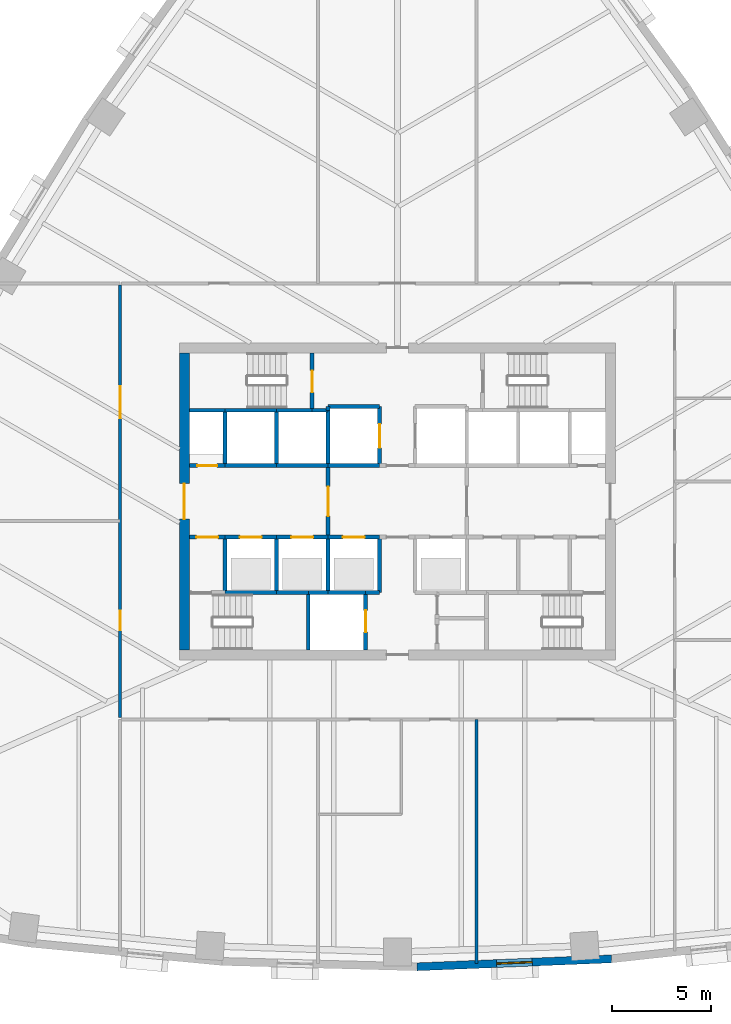
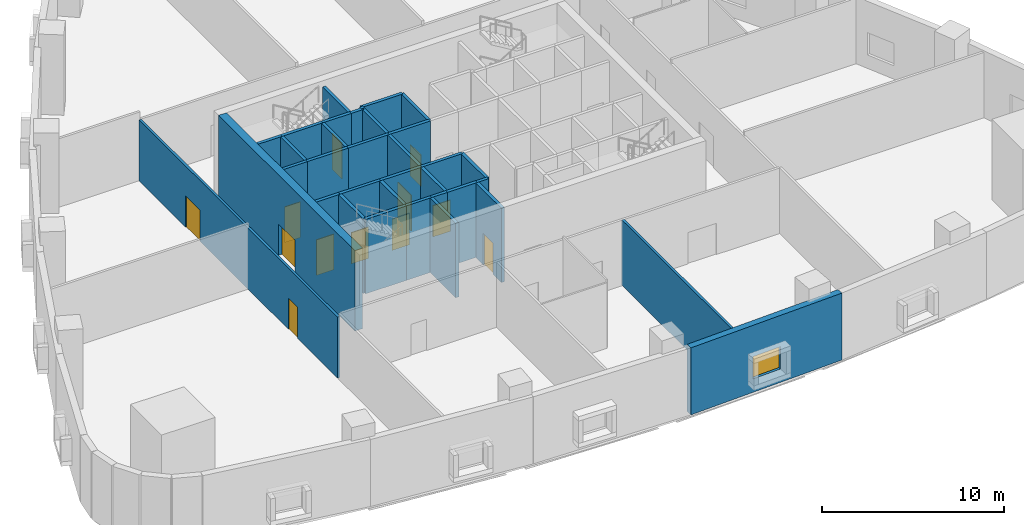
# One storey, part 3 of 11: 35 walls, 12 doors, 1 window, 13 openings.
"""IFC4 building model written with IfcOpenShell, lengths in metres."""

from ifc_helpers import new_model, si_unit, direction, frame, frame_2d, origin, place, context, subcontext, project, spatial, rectangle, extrude, material, layer, layer_set, type_object, element, fill, save


model = new_model("IFC4")

# Units and contexts
model_context = context("Model", 3, precision=1e-05, world=origin(), true_north=direction((0.0, 1.0)))
body_context = subcontext(model_context, "Body", "Model", "MODEL_VIEW")
ifc_project = project(units=[si_unit("LENGTHUNIT", "METRE"), si_unit("AREAUNIT", "SQUARE_METRE"), si_unit("VOLUMEUNIT", "CUBIC_METRE"), si_unit("PLANEANGLEUNIT", "RADIAN"), si_unit("MASSUNIT", "GRAM", prefix="KILO")], contexts=[model_context])

# Site, building, storey
site_placement = place(None, origin())
site = spatial("IfcSite", under=ifc_project, at=site_placement, CompositionType="ELEMENT")
building_placement = place(site_placement, origin())
building = spatial("IfcBuilding", under=site, at=building_placement, Name="Sierra Prisma Convention Tower", CompositionType="ELEMENT")
storey_placement = place(building_placement, frame((0.0, 0.0, 28.800048828125)))
storey = spatial("IfcBuildingStorey", under=building, at=storey_placement, Name="L04", CompositionType="ELEMENT", Elevation=28.800048828125)

# Wall, opening, door
ifc_material_1 = material(Name="Concrete C30/37", Category="concrete")
ifc_layer_1 = layer(ifc_material_1, 0.199951171875)
ifc_layer_set_1 = layer_set([ifc_layer_1], Name="Core wall RC 200 C30/37")
wall_type_1 = type_object("IfcWallType", Name="Core wall RC 200 C30/37", PredefinedType="SOLIDWALL", material=ifc_layer_set_1)
wall_1_placement = place(storey_placement, frame((-10.5, -1.800048828125, 0.0), z_axis=(0.0, 0.0, 1.0), x_axis=(1.0, 0.0, 0.0)))
wall_1 = element("IfcWall", 1, at=wall_1_placement, inside=storey, type_object=wall_type_1, Name="Core wall L04 2", PredefinedType="SOLIDWALL", context=body_context, shape_type="SweptSolid", body=[
    extrude(rectangle(XDim=1.800048828125, YDim=0.199951171875, at=frame_2d((0.89990234375, 0.0))), origin(), (0.0, 0.0, 1.0), 5.0),
])
opening_1_placement = place(wall_1_placement, frame((0.35009765625, 0.0, 0.0)))
opening_1 = element("IfcOpeningElement", 2, at=opening_1_placement, cuts=wall_1, Name="Opening L04-D010", PredefinedType="OPENING", context=body_context, shape_type="SweptSolid", body=[
    extrude(rectangle(XDim=1.10009765625, YDim=2.39990234375, at=frame_2d((0.550048828125, 1.199951171875))), frame((0.0, 0.10009765625, 0.0), z_axis=(0.0, -1.0, 0.0), x_axis=(1.0, 0.0, 0.0)), (0.0, 0.0, 1.0), 0.199951171875),
])
ifc_material_2 = material(Name="Steel fire door leaf", Category="steel")
door_type_1 = type_object("IfcDoorType", Name="Door 1100x2400 FD90S", OperationType="SINGLE_SWING_LEFT", PredefinedType="DOOR", material=ifc_material_2)
door_1_placement = place(opening_1_placement, origin())
door_1 = element("IfcDoor", 3, at=door_1_placement, inside=storey, type_object=door_type_1, Name="Door L04 23", OperationType="SINGLE_SWING_RIGHT", OverallHeight=2.39990234375, OverallWidth=1.10009765625, PredefinedType="DOOR", context=body_context, shape_type="SweptSolid", body=[
    extrude(rectangle(XDim=1.10009765625, YDim=2.39990234375, at=frame_2d((0.550048828125, 1.199951171875))), frame((0.0, 0.02490234375, 0.0), z_axis=(0.0, -1.0, 0.0), x_axis=(1.0, 0.0, 0.0)), (0.0, 0.0, 1.0), 0.050048828125),
])
fill(opening_1, door_1)

wall_2_placement = place(storey_placement, frame((-8.699951171875, 1.800048828125, 0.0), z_axis=(0.0, 0.0, 1.0), x_axis=(-1.0, 0.0, 0.0)))
wall_2 = element("IfcWall", 4, at=wall_2_placement, inside=storey, type_object=wall_type_1, Name="Core wall L04 3", PredefinedType="SOLIDWALL", context=body_context, shape_type="SweptSolid", body=[
    extrude(rectangle(XDim=1.800048828125, YDim=0.199951171875, at=frame_2d((0.89990234375, 0.0))), origin(), (0.0, 0.0, 1.0), 5.0),
])
opening_2_placement = place(wall_2_placement, frame((0.39990234375, 0.0, 0.0)))
opening_2 = element("IfcOpeningElement", 5, at=opening_2_placement, cuts=wall_2, Name="Opening L04-D014", PredefinedType="OPENING", context=body_context, shape_type="SweptSolid", body=[
    extrude(rectangle(XDim=1.0, YDim=2.39990234375, at=frame_2d((0.5, 1.199951171875))), frame((0.0, 0.10009765625, 0.0), z_axis=(0.0, -1.0, 0.0), x_axis=(1.0, 0.0, 0.0)), (0.0, 0.0, 1.0), 0.199951171875),
])
ifc_material_3 = material(Name="Steel fire door leaf", Category="steel")
door_type_2 = type_object("IfcDoorType", Name="Door 1000x2400 FD60S", OperationType="SINGLE_SWING_LEFT", PredefinedType="DOOR", material=ifc_material_3)
door_2_placement = place(opening_2_placement, origin())
door_2 = element("IfcDoor", 6, at=door_2_placement, inside=storey, type_object=door_type_2, Name="Door L04 27", OperationType="SINGLE_SWING_LEFT", OverallHeight=2.39990234375, OverallWidth=1.0, PredefinedType="DOOR", context=body_context, shape_type="SweptSolid", body=[
    extrude(rectangle(XDim=1.0, YDim=2.39990234375, at=frame_2d((0.5, 1.199951171875))), frame((0.0, 0.02490234375, 0.0), z_axis=(0.0, -1.0, 0.0), x_axis=(1.0, 0.0, 0.0)), (0.0, 0.0, 1.0), 0.050048828125),
])
fill(opening_2, door_2)

# Walls
wall_3_placement = place(storey_placement, frame((-8.699951171875, 4.60009765625, 0.0), z_axis=(0.0, 0.0, 1.0), x_axis=(-1.0, 0.0, 0.0)))
element("IfcWall", 7, at=wall_3_placement, inside=storey, type_object=wall_type_1, Name="Core wall L04 4", PredefinedType="SOLIDWALL", context=body_context, shape_type="SweptSolid", body=[
    extrude(rectangle(XDim=1.800048828125, YDim=0.199951171875, at=frame_2d((0.89990234375, 0.0))), origin(), (0.0, 0.0, 1.0), 5.0),
])
wall_4_placement = place(storey_placement, frame((-8.699951171875, -4.60009765625, 0.0), z_axis=(0.0, 0.0, 1.0), x_axis=(1.0, 0.0, 0.0)))
element("IfcWall", 8, at=wall_4_placement, inside=storey, type_object=wall_type_1, Name="Core wall L04 5", PredefinedType="SOLIDWALL", context=body_context, shape_type="SweptSolid", body=[
    extrude(rectangle(XDim=2.599853515625, YDim=0.199951171875, at=frame_2d((1.2998046875, 0.0))), origin(), (0.0, 0.0, 1.0), 5.0),
])
wall_5_placement = place(storey_placement, frame((-8.699951171875, -4.60009765625, 0.0), z_axis=(0.0, 0.0, 1.0), x_axis=(0.0, 1.0, 0.0)))
element("IfcWall", 9, at=wall_5_placement, inside=storey, type_object=wall_type_1, Name="Core wall L04 6", PredefinedType="SOLIDWALL", context=body_context, shape_type="SweptSolid", body=[
    extrude(rectangle(XDim=2.800048828125, YDim=0.199951171875, at=frame_2d((1.39990234375, 0.0))), origin(), (0.0, 0.0, 1.0), 5.0),
])

# Wall, opening, door
wall_6_placement = place(storey_placement, frame((-8.699951171875, -1.800048828125, 0.0), z_axis=(0.0, 0.0, 1.0), x_axis=(1.0, 0.0, 0.0)))
wall_6 = element("IfcWall", 10, at=wall_6_placement, inside=storey, type_object=wall_type_1, Name="Core wall L04 7", PredefinedType="SOLIDWALL", context=body_context, shape_type="SweptSolid", body=[
    extrude(rectangle(XDim=2.599853515625, YDim=0.199951171875, at=frame_2d((1.2998046875, 0.0))), origin(), (0.0, 0.0, 1.0), 5.0),
])
opening_3_placement = place(wall_6_placement, frame((0.75, 0.0, 0.0)))
opening_3 = element("IfcOpeningElement", 11, at=opening_3_placement, cuts=wall_6, Name="Opening L04-D001", PredefinedType="OPENING", context=body_context, shape_type="SweptSolid", body=[
    extrude(rectangle(XDim=1.10009765625, YDim=2.10009765625, at=frame_2d((0.550048828125, 1.050048828125))), frame((0.0, 0.10009765625, 0.0), z_axis=(0.0, -1.0, 0.0), x_axis=(1.0, 0.0, 0.0)), (0.0, 0.0, 1.0), 0.199951171875),
])
ifc_material_4 = material(Name="Steel fire door leaf", Category="steel")
door_type_3 = type_object("IfcDoorType", Name="Door 1100x2100 EI 90 sliding lift landing", OperationType="SLIDING_TO_LEFT", PredefinedType="DOOR", material=ifc_material_4)
door_3_placement = place(opening_3_placement, origin())
door_3 = element("IfcDoor", 12, at=door_3_placement, inside=storey, type_object=door_type_3, Name="Door L04 14", OperationType="SLIDING_TO_LEFT", OverallHeight=2.10009765625, OverallWidth=1.10009765625, PredefinedType="DOOR", context=body_context, shape_type="SweptSolid", body=[
    extrude(rectangle(XDim=1.10009765625, YDim=2.10009765625, at=frame_2d((0.550048828125, 1.050048828125))), frame((0.0, 0.02490234375, 0.0), z_axis=(0.0, -1.0, 0.0), x_axis=(1.0, 0.0, 0.0)), (0.0, 0.0, 1.0), 0.050048828125),
])
fill(opening_3, door_3)

# Walls
wall_7_placement = place(storey_placement, frame((-6.10009765625, 1.800048828125, 0.0), z_axis=(0.0, 0.0, 1.0), x_axis=(-1.0, 0.0, 0.0)))
element("IfcWall", 13, at=wall_7_placement, inside=storey, type_object=wall_type_1, Name="Core wall L04 8", PredefinedType="SOLIDWALL", context=body_context, shape_type="SweptSolid", body=[
    extrude(rectangle(XDim=2.599853515625, YDim=0.199951171875, at=frame_2d((1.2998046875, 0.0))), origin(), (0.0, 0.0, 1.0), 5.0),
])
wall_8_placement = place(storey_placement, frame((-8.699951171875, 1.800048828125, 0.0), z_axis=(0.0, 0.0, 1.0), x_axis=(0.0, 1.0, 0.0)))
element("IfcWall", 14, at=wall_8_placement, inside=storey, type_object=wall_type_1, Name="Core wall L04 9", PredefinedType="SOLIDWALL", context=body_context, shape_type="SweptSolid", body=[
    extrude(rectangle(XDim=2.800048828125, YDim=0.199951171875, at=frame_2d((1.39990234375, 0.0))), origin(), (0.0, 0.0, 1.0), 5.0),
])
wall_9_placement = place(storey_placement, frame((-6.10009765625, 4.60009765625, 0.0), z_axis=(0.0, 0.0, 1.0), x_axis=(-1.0, 0.0, 0.0)))
element("IfcWall", 15, at=wall_9_placement, inside=storey, type_object=wall_type_1, Name="Core wall L04 10", PredefinedType="SOLIDWALL", context=body_context, shape_type="SweptSolid", body=[
    extrude(rectangle(XDim=2.599853515625, YDim=0.199951171875, at=frame_2d((1.2998046875, 0.0))), origin(), (0.0, 0.0, 1.0), 5.0),
])
wall_10_placement = place(storey_placement, frame((-6.10009765625, -4.60009765625, 0.0), z_axis=(0.0, 0.0, 1.0), x_axis=(1.0, 0.0, 0.0)))
element("IfcWall", 16, at=wall_10_placement, inside=storey, type_object=wall_type_1, Name="Core wall L04 11", PredefinedType="SOLIDWALL", context=body_context, shape_type="SweptSolid", body=[
    extrude(rectangle(XDim=1.60009765625, YDim=0.199951171875, at=frame_2d((0.800048828125, 0.0))), origin(), (0.0, 0.0, 1.0), 5.0),
])
wall_11_placement = place(storey_placement, frame((-6.10009765625, -4.60009765625, 0.0), z_axis=(0.0, 0.0, 1.0), x_axis=(0.0, 1.0, 0.0)))
element("IfcWall", 17, at=wall_11_placement, inside=storey, type_object=wall_type_1, Name="Core wall L04 12", PredefinedType="SOLIDWALL", context=body_context, shape_type="SweptSolid", body=[
    extrude(rectangle(XDim=2.800048828125, YDim=0.199951171875, at=frame_2d((1.39990234375, 0.0))), origin(), (0.0, 0.0, 1.0), 5.0),
])

# Wall, opening, door
wall_12_placement = place(storey_placement, frame((-6.10009765625, -1.800048828125, 0.0), z_axis=(0.0, 0.0, 1.0), x_axis=(1.0, 0.0, 0.0)))
wall_12 = element("IfcWall", 18, at=wall_12_placement, inside=storey, type_object=wall_type_1, Name="Core wall L04 13", PredefinedType="SOLIDWALL", context=body_context, shape_type="SweptSolid", body=[
    extrude(rectangle(XDim=2.60009765625, YDim=0.199951171875, at=frame_2d((1.300048828125, 0.0))), origin(), (0.0, 0.0, 1.0), 5.0),
])
opening_4_placement = place(wall_12_placement, frame((0.75, 0.0, 0.0)))
opening_4 = element("IfcOpeningElement", 19, at=opening_4_placement, cuts=wall_12, Name="Opening L04-D002", PredefinedType="OPENING", context=body_context, shape_type="SweptSolid", body=[
    extrude(rectangle(XDim=1.10009765625, YDim=2.10009765625, at=frame_2d((0.550048828125, 1.050048828125))), frame((0.0, 0.10009765625, 0.0), z_axis=(0.0, -1.0, 0.0), x_axis=(1.0, 0.0, 0.0)), (0.0, 0.0, 1.0), 0.199951171875),
])
door_4_placement = place(opening_4_placement, origin())
door_4 = element("IfcDoor", 20, at=door_4_placement, inside=storey, type_object=door_type_3, Name="Door L04 15", OperationType="SLIDING_TO_RIGHT", OverallHeight=2.10009765625, OverallWidth=1.10009765625, PredefinedType="DOOR", context=body_context, shape_type="SweptSolid", body=[
    extrude(rectangle(XDim=1.10009765625, YDim=2.10009765625, at=frame_2d((0.550048828125, 1.050048828125))), frame((0.0, 0.02490234375, 0.0), z_axis=(0.0, -1.0, 0.0), x_axis=(1.0, 0.0, 0.0)), (0.0, 0.0, 1.0), 0.050048828125),
])
fill(opening_4, door_4)

# Walls
wall_13_placement = place(storey_placement, frame((-3.5, 1.800048828125, 0.0), z_axis=(0.0, 0.0, 1.0), x_axis=(-1.0, 0.0, 0.0)))
element("IfcWall", 21, at=wall_13_placement, inside=storey, type_object=wall_type_1, Name="Core wall L04 14", PredefinedType="SOLIDWALL", context=body_context, shape_type="SweptSolid", body=[
    extrude(rectangle(XDim=2.60009765625, YDim=0.199951171875, at=frame_2d((1.300048828125, 0.0))), origin(), (0.0, 0.0, 1.0), 5.0),
])
wall_14_placement = place(storey_placement, frame((-6.10009765625, 1.800048828125, 0.0), z_axis=(0.0, 0.0, 1.0), x_axis=(0.0, 1.0, 0.0)))
element("IfcWall", 22, at=wall_14_placement, inside=storey, type_object=wall_type_1, Name="Core wall L04 15", PredefinedType="SOLIDWALL", context=body_context, shape_type="SweptSolid", body=[
    extrude(rectangle(XDim=2.800048828125, YDim=0.199951171875, at=frame_2d((1.39990234375, 0.0))), origin(), (0.0, 0.0, 1.0), 5.0),
])
wall_15_placement = place(storey_placement, frame((-4.300048828125, 4.60009765625, 0.0), z_axis=(0.0, 0.0, 1.0), x_axis=(-1.0, 0.0, 0.0)))
element("IfcWall", 23, at=wall_15_placement, inside=storey, type_object=wall_type_1, Name="Core wall L04 16", PredefinedType="SOLIDWALL", context=body_context, shape_type="SweptSolid", body=[
    extrude(rectangle(XDim=1.800048828125, YDim=0.199951171875, at=frame_2d((0.89990234375, 0.0))), origin(), (0.0, 0.0, 1.0), 5.0),
])
wall_16_placement = place(storey_placement, frame((-4.5, -4.60009765625, 0.0), z_axis=(0.0, 0.0, 1.0), x_axis=(0.0, -1.0, 0.0)))
element("IfcWall", 24, at=wall_16_placement, inside=storey, type_object=wall_type_1, Name="Core wall L04 17", PredefinedType="SOLIDWALL", context=body_context, shape_type="SweptSolid", body=[
    extrude(rectangle(XDim=2.89990234375, YDim=0.199951171875, at=frame_2d((1.449951171875, 0.0))), origin(), (0.0, 0.0, 1.0), 5.0),
])
wall_17_placement = place(storey_placement, frame((-4.5, -4.60009765625, 0.0), z_axis=(0.0, 0.0, 1.0), x_axis=(1.0, 0.0, 0.0)))
element("IfcWall", 25, at=wall_17_placement, inside=storey, type_object=wall_type_1, Name="Core wall L04 18", PredefinedType="SOLIDWALL", context=body_context, shape_type="SweptSolid", body=[
    extrude(rectangle(XDim=1.0, YDim=0.199951171875, at=frame_2d((0.5, 0.0))), origin(), (0.0, 0.0, 1.0), 5.0),
])
wall_18_placement = place(storey_placement, frame((-3.5, 4.60009765625, 0.0), z_axis=(0.0, 0.0, 1.0), x_axis=(-1.0, 0.0, 0.0)))
element("IfcWall", 26, at=wall_18_placement, inside=storey, type_object=wall_type_1, Name="Core wall L04 19", PredefinedType="SOLIDWALL", context=body_context, shape_type="SweptSolid", body=[
    extrude(rectangle(XDim=0.800048828125, YDim=0.199951171875, at=frame_2d((0.39990234375, 0.0))), origin(), (0.0, 0.0, 1.0), 5.0),
])

# Wall, opening, door
wall_19_placement = place(storey_placement, frame((-4.300048828125, 4.60009765625, 0.0), z_axis=(0.0, 0.0, 1.0), x_axis=(0.0, 1.0, 0.0)))
wall_19 = element("IfcWall", 27, at=wall_19_placement, inside=storey, type_object=wall_type_1, Name="Core wall L04 20", PredefinedType="SOLIDWALL", context=body_context, shape_type="SweptSolid", body=[
    extrude(rectangle(XDim=2.89990234375, YDim=0.199951171875, at=frame_2d((1.449951171875, 0.0))), origin(), (0.0, 0.0, 1.0), 5.0),
])
opening_5_placement = place(wall_19_placement, frame((0.89990234375, 0.0, 0.0)))
opening_5 = element("IfcOpeningElement", 28, at=opening_5_placement, cuts=wall_19, Name="Opening L04-D018", PredefinedType="OPENING", context=body_context, shape_type="SweptSolid", body=[
    extrude(rectangle(XDim=1.10009765625, YDim=2.39990234375, at=frame_2d((0.550048828125, 1.199951171875))), frame((0.0, 0.10009765625, 0.0), z_axis=(0.0, -1.0, 0.0), x_axis=(1.0, 0.0, 0.0)), (0.0, 0.0, 1.0), 0.199951171875),
])
door_5_placement = place(opening_5_placement, origin())
door_5 = element("IfcDoor", 29, at=door_5_placement, inside=storey, type_object=door_type_1, Name="Door L04 31", OperationType="SINGLE_SWING_RIGHT", OverallHeight=2.39990234375, OverallWidth=1.10009765625, PredefinedType="DOOR", context=body_context, shape_type="SweptSolid", body=[
    extrude(rectangle(XDim=1.10009765625, YDim=2.39990234375, at=frame_2d((0.550048828125, 1.199951171875))), frame((0.0, 0.02490234375, 0.0), z_axis=(0.0, -1.0, 0.0), x_axis=(1.0, 0.0, 0.0)), (0.0, 0.0, 1.0), 0.050048828125),
])
fill(opening_5, door_5)

# Walls
wall_20_placement = place(storey_placement, frame((-3.5, -4.60009765625, 0.0), z_axis=(0.0, 0.0, 1.0), x_axis=(1.0, 0.0, 0.0)))
element("IfcWall", 30, at=wall_20_placement, inside=storey, type_object=wall_type_1, Name="Core wall L04 21", PredefinedType="SOLIDWALL", context=body_context, shape_type="SweptSolid", body=[
    extrude(rectangle(XDim=1.89990234375, YDim=0.199951171875, at=frame_2d((0.949951171875, 0.0))), origin(), (0.0, 0.0, 1.0), 5.0),
])
wall_21_placement = place(storey_placement, frame((-3.5, -4.60009765625, 0.0), z_axis=(0.0, 0.0, 1.0), x_axis=(0.0, 1.0, 0.0)))
element("IfcWall", 31, at=wall_21_placement, inside=storey, type_object=wall_type_1, Name="Core wall L04 22", PredefinedType="SOLIDWALL", context=body_context, shape_type="SweptSolid", body=[
    extrude(rectangle(XDim=2.800048828125, YDim=0.199951171875, at=frame_2d((1.39990234375, 0.0))), origin(), (0.0, 0.0, 1.0), 5.0),
])

# Wall, opening, door
wall_22_placement = place(storey_placement, frame((-3.5, -1.800048828125, 0.0), z_axis=(0.0, 0.0, 1.0), x_axis=(1.0, 0.0, 0.0)))
wall_22 = element("IfcWall", 32, at=wall_22_placement, inside=storey, type_object=wall_type_1, Name="Core wall L04 23", PredefinedType="SOLIDWALL", context=body_context, shape_type="SweptSolid", body=[
    extrude(rectangle(XDim=2.60009765625, YDim=0.199951171875, at=frame_2d((1.300048828125, 0.0))), origin(), (0.0, 0.0, 1.0), 5.0),
])
opening_6_placement = place(wall_22_placement, frame((0.75, 0.0, 0.0)))
opening_6 = element("IfcOpeningElement", 33, at=opening_6_placement, cuts=wall_22, Name="Opening L04-D003", PredefinedType="OPENING", context=body_context, shape_type="SweptSolid", body=[
    extrude(rectangle(XDim=1.10009765625, YDim=2.10009765625, at=frame_2d((0.550048828125, 1.050048828125))), frame((0.0, 0.10009765625, 0.0), z_axis=(0.0, -1.0, 0.0), x_axis=(1.0, 0.0, 0.0)), (0.0, 0.0, 1.0), 0.199951171875),
])
door_6_placement = place(opening_6_placement, origin())
door_6 = element("IfcDoor", 34, at=door_6_placement, inside=storey, type_object=door_type_3, Name="Door L04 16", OperationType="SLIDING_TO_RIGHT", OverallHeight=2.10009765625, OverallWidth=1.10009765625, PredefinedType="DOOR", context=body_context, shape_type="SweptSolid", body=[
    extrude(rectangle(XDim=1.10009765625, YDim=2.10009765625, at=frame_2d((0.550048828125, 1.050048828125))), frame((0.0, 0.02490234375, 0.0), z_axis=(0.0, -1.0, 0.0), x_axis=(1.0, 0.0, 0.0)), (0.0, 0.0, 1.0), 0.050048828125),
])
fill(opening_6, door_6)

wall_23_placement = place(storey_placement, frame((-3.5, 1.800048828125, 0.0), z_axis=(0.0, 0.0, 1.0), x_axis=(0.0, -1.0, 0.0)))
wall_23 = element("IfcWall", 35, at=wall_23_placement, inside=storey, type_object=wall_type_1, Name="Core wall L04 24", PredefinedType="SOLIDWALL", context=body_context, shape_type="SweptSolid", body=[
    extrude(rectangle(XDim=3.60009765625, YDim=0.199951171875, at=frame_2d((1.800048828125, 0.0))), origin(), (0.0, 0.0, 1.0), 5.0),
])
opening_7_placement = place(wall_23_placement, frame((1.050048828125, 0.0, 0.0)))
opening_7 = element("IfcOpeningElement", 36, at=opening_7_placement, cuts=wall_23, Name="Opening L04-D008", PredefinedType="OPENING", context=body_context, shape_type="SweptSolid", body=[
    extrude(rectangle(XDim=1.5, YDim=2.39990234375, at=frame_2d((0.75, 1.199951171875))), frame((0.0, 0.10009765625, 0.0), z_axis=(0.0, -1.0, 0.0), x_axis=(1.0, 0.0, 0.0)), (0.0, 0.0, 1.0), 0.199951171875),
])
ifc_material_5 = material(Name="Steel fire door leaf", Category="steel")
door_type_4 = type_object("IfcDoorType", Name="Door 1500x2400 FD30S", OperationType="DOUBLE_DOOR_SINGLE_SWING", PredefinedType="DOOR", material=ifc_material_5)
door_7_placement = place(opening_7_placement, origin())
door_7 = element("IfcDoor", 37, at=door_7_placement, inside=storey, type_object=door_type_4, Name="Door L04 21", OperationType="DOUBLE_DOOR_SINGLE_SWING", OverallHeight=2.39990234375, OverallWidth=1.5, PredefinedType="DOOR", context=body_context, shape_type="SweptSolid", body=[
    extrude(rectangle(XDim=1.5, YDim=2.39990234375, at=frame_2d((0.75, 1.199951171875))), frame((0.0, 0.02490234375, 0.0), z_axis=(0.0, -1.0, 0.0), x_axis=(1.0, 0.0, 0.0)), (0.0, 0.0, 1.0), 0.050048828125),
])
fill(opening_7, door_7)

# Walls
wall_24_placement = place(storey_placement, frame((-0.89990234375, 1.800048828125, 0.0), z_axis=(0.0, 0.0, 1.0), x_axis=(-1.0, 0.0, 0.0)))
element("IfcWall", 38, at=wall_24_placement, inside=storey, type_object=wall_type_1, Name="Core wall L04 25", PredefinedType="SOLIDWALL", context=body_context, shape_type="SweptSolid", body=[
    extrude(rectangle(XDim=2.60009765625, YDim=0.199951171875, at=frame_2d((1.300048828125, 0.0))), origin(), (0.0, 0.0, 1.0), 5.0),
])
wall_25_placement = place(storey_placement, frame((-3.5, 4.60009765625, 0.0), z_axis=(0.0, 0.0, 1.0), x_axis=(0.0, -1.0, 0.0)))
element("IfcWall", 39, at=wall_25_placement, inside=storey, type_object=wall_type_1, Name="Core wall L04 26", PredefinedType="SOLIDWALL", context=body_context, shape_type="SweptSolid", body=[
    extrude(rectangle(XDim=2.800048828125, YDim=0.199951171875, at=frame_2d((1.39990234375, 0.0))), origin(), (0.0, 0.0, 1.0), 5.0),
])

# Wall, opening, door
wall_26_placement = place(storey_placement, frame((-0.89990234375, 1.800048828125, 0.0), z_axis=(0.0, 0.0, 1.0), x_axis=(0.0, 1.0, 0.0)))
wall_26 = element("IfcWall", 40, at=wall_26_placement, inside=storey, type_object=wall_type_1, Name="Core wall L04 27", PredefinedType="SOLIDWALL", context=body_context, shape_type="SweptSolid", body=[
    extrude(rectangle(XDim=3.0, YDim=0.199951171875, at=frame_2d((1.5, 0.0))), origin(), (0.0, 0.0, 1.0), 5.0),
])
opening_8_placement = place(wall_26_placement, frame((0.89990234375, 0.0, 0.0)))
opening_8 = element("IfcOpeningElement", 41, at=opening_8_placement, cuts=wall_26, Name="Opening L04-D005", PredefinedType="OPENING", context=body_context, shape_type="SweptSolid", body=[
    extrude(rectangle(XDim=1.199951171875, YDim=2.10009765625, at=frame_2d((0.60009765625, 1.050048828125))), frame((0.0, 0.10009765625, 0.0), z_axis=(0.0, -1.0, 0.0), x_axis=(1.0, 0.0, 0.0)), (0.0, 0.0, 1.0), 0.199951171875),
])
ifc_material_6 = material(Name="Steel fire door leaf", Category="steel")
door_type_5 = type_object("IfcDoorType", Name="Door 1200x2100 EI 90 sliding lift landing", OperationType="SLIDING_TO_LEFT", PredefinedType="DOOR", material=ifc_material_6)
door_8_placement = place(opening_8_placement, origin())
door_8 = element("IfcDoor", 42, at=door_8_placement, inside=storey, type_object=door_type_5, Name="Door L04 18", OperationType="SLIDING_TO_RIGHT", OverallHeight=2.10009765625, OverallWidth=1.199951171875, PredefinedType="DOOR", context=body_context, shape_type="SweptSolid", body=[
    extrude(rectangle(XDim=1.199951171875, YDim=2.10009765625, at=frame_2d((0.60009765625, 1.050048828125))), frame((0.0, 0.02490234375, 0.0), z_axis=(0.0, -1.0, 0.0), x_axis=(1.0, 0.0, 0.0)), (0.0, 0.0, 1.0), 0.050048828125),
])
fill(opening_8, door_8)

# Walls
wall_27_placement = place(storey_placement, frame((-0.89990234375, 4.800048828125, 0.0), z_axis=(0.0, 0.0, 1.0), x_axis=(-1.0, 0.0, 0.0)))
element("IfcWall", 43, at=wall_27_placement, inside=storey, type_object=wall_type_1, Name="Core wall L04 28", PredefinedType="SOLIDWALL", context=body_context, shape_type="SweptSolid", body=[
    extrude(rectangle(XDim=2.60009765625, YDim=0.199951171875, at=frame_2d((1.300048828125, 0.0))), origin(), (0.0, 0.0, 1.0), 5.0),
])
wall_28_placement = place(storey_placement, frame((-3.5, 4.800048828125, 0.0), z_axis=(0.0, 0.0, 1.0), x_axis=(0.0, -1.0, 0.0)))
element("IfcWall", 44, at=wall_28_placement, inside=storey, type_object=wall_type_1, Name="Core wall L04 29", PredefinedType="SOLIDWALL", context=body_context, shape_type="SweptSolid", body=[
    extrude(rectangle(XDim=0.199951171875, YDim=0.199951171875, at=frame_2d((0.10009765625, 0.0))), origin(), (0.0, 0.0, 1.0), 5.0),
])

# Wall, opening, door
wall_29_placement = place(storey_placement, frame((-1.60009765625, -7.5, 0.0), z_axis=(0.0, 0.0, 1.0), x_axis=(0.0, 1.0, 0.0)))
wall_29 = element("IfcWall", 45, at=wall_29_placement, inside=storey, type_object=wall_type_1, Name="Core wall L04 30", PredefinedType="SOLIDWALL", context=body_context, shape_type="SweptSolid", body=[
    extrude(rectangle(XDim=2.89990234375, YDim=0.199951171875, at=frame_2d((1.449951171875, 0.0))), origin(), (0.0, 0.0, 1.0), 5.0),
])
opening_9_placement = place(wall_29_placement, frame((0.89990234375, 0.0, 0.0)))
opening_9 = element("IfcOpeningElement", 46, at=opening_9_placement, cuts=wall_29, Name="Opening L04-D007", PredefinedType="OPENING", context=body_context, shape_type="SweptSolid", body=[
    extrude(rectangle(XDim=1.10009765625, YDim=2.10009765625, at=frame_2d((0.550048828125, 1.050048828125))), frame((0.0, 0.10009765625, 0.0), z_axis=(0.0, -1.0, 0.0), x_axis=(1.0, 0.0, 0.0)), (0.0, 0.0, 1.0), 0.199951171875),
])
door_9_placement = place(opening_9_placement, origin())
door_9 = element("IfcDoor", 47, at=door_9_placement, inside=storey, type_object=door_type_3, Name="Door L04 20", OperationType="SLIDING_TO_RIGHT", OverallHeight=2.10009765625, OverallWidth=1.10009765625, PredefinedType="DOOR", context=body_context, shape_type="SweptSolid", body=[
    extrude(rectangle(XDim=1.10009765625, YDim=2.10009765625, at=frame_2d((0.550048828125, 1.050048828125))), frame((0.0, 0.02490234375, 0.0), z_axis=(0.0, -1.0, 0.0), x_axis=(1.0, 0.0, 0.0)), (0.0, 0.0, 1.0), 0.050048828125),
])
fill(opening_9, door_9)

# Walls
wall_30_placement = place(storey_placement, frame((-1.60009765625, -4.60009765625, 0.0), z_axis=(0.0, 0.0, 1.0), x_axis=(1.0, 0.0, 0.0)))
element("IfcWall", 48, at=wall_30_placement, inside=storey, type_object=wall_type_1, Name="Core wall L04 31", PredefinedType="SOLIDWALL", context=body_context, shape_type="SweptSolid", body=[
    extrude(rectangle(XDim=0.7001953125, YDim=0.199951171875, at=frame_2d((0.35009765625, 0.0))), origin(), (0.0, 0.0, 1.0), 5.0),
])
wall_31_placement = place(storey_placement, frame((-0.89990234375, -4.60009765625, 0.0), z_axis=(0.0, 0.0, 1.0), x_axis=(0.0, 1.0, 0.0)))
element("IfcWall", 49, at=wall_31_placement, inside=storey, type_object=wall_type_1, Name="Core wall L04 32", PredefinedType="SOLIDWALL", context=body_context, shape_type="SweptSolid", body=[
    extrude(rectangle(XDim=2.800048828125, YDim=0.199951171875, at=frame_2d((1.39990234375, 0.0))), origin(), (0.0, 0.0, 1.0), 5.0),
])

# Wall, opening, door
ifc_material_7 = material(Name="Concrete C70/85", Category="concrete")
ifc_layer_2 = layer(ifc_material_7, 0.5)
ifc_layer_set_2 = layer_set([ifc_layer_2], Name="Core wall RC 500 C70/85")
wall_type_2 = type_object("IfcWallType", Name="Core wall RC 500 C70/85", PredefinedType="SHEAR", material=ifc_layer_set_2)
wall_32_placement = place(storey_placement, frame((-10.75, -7.5, 0.0), z_axis=(0.0, 0.0, 1.0), x_axis=(0.0, 1.0, 0.0)))
wall_32 = element("IfcWall", 50, at=wall_32_placement, inside=storey, type_object=wall_type_2, Name="Core wall W L04", PredefinedType="SHEAR", context=body_context, shape_type="SweptSolid", body=[
    extrude(rectangle(XDim=15.0, YDim=0.5, at=frame_2d((7.5, 0.0))), origin(), (0.0, 0.0, 1.0), 5.39990234375),
])
opening_10_placement = place(wall_32_placement, frame((6.60009765625, 0.0, 0.0)))
opening_10 = element("IfcOpeningElement", 51, at=opening_10_placement, cuts=wall_32, Name="Opening L04-D040", PredefinedType="OPENING", context=body_context, shape_type="SweptSolid", body=[
    extrude(rectangle(XDim=1.800048828125, YDim=2.10009765625, at=frame_2d((0.89990234375, 1.050048828125))), frame((0.0, 0.25, 0.0), z_axis=(0.0, -1.0, 0.0), x_axis=(1.0, 0.0, 0.0)), (0.0, 0.0, 1.0), 0.5),
])
ifc_material_8 = material(Name="Steel fire door leaf", Category="steel")
door_type_6 = type_object("IfcDoorType", Name="Door 1800x2100 FD60S", OperationType="DOUBLE_DOOR_SINGLE_SWING", PredefinedType="DOOR", material=ifc_material_8)
door_10_placement = place(opening_10_placement, origin())
door_10 = element("IfcDoor", 52, at=door_10_placement, inside=storey, type_object=door_type_6, Name="Door L04 37", OperationType="DOUBLE_DOOR_SINGLE_SWING", OverallHeight=2.10009765625, OverallWidth=1.800048828125, PredefinedType="DOOR", context=body_context, shape_type="SweptSolid", body=[
    extrude(rectangle(XDim=1.800048828125, YDim=2.10009765625, at=frame_2d((0.89990234375, 1.050048828125))), frame((0.0, 0.02490234375, 0.0), z_axis=(0.0, -1.0, 0.0), x_axis=(1.0, 0.0, 0.0)), (0.0, 0.0, 1.0), 0.050048828125),
])
fill(opening_10, door_10)

# Wall, openings, doors
ifc_material_9 = material(Name="Gypsum board partition", Category="gypsum")
ifc_layer_3 = layer(ifc_material_9, 0.14990234375)
ifc_layer_set_3 = layer_set([ifc_layer_3], Name="Corridor wall 150 gypsum EI 60")
wall_type_3 = type_object("IfcWallType", Name="Corridor wall 150 gypsum EI 60", PredefinedType="PARTITIONING", material=ifc_layer_set_3)
wall_33_placement = place(storey_placement, frame((-14.0, 10.919921875, 0.0), z_axis=(0.0, 0.0, 1.0), x_axis=(0.0, -1.0, 0.0)))
wall_33 = element("IfcWall", 53, at=wall_33_placement, inside=storey, type_object=wall_type_3, Name="Partition L04 corr 1", PredefinedType="PARTITIONING", context=body_context, shape_type="SweptSolid", body=[
    extrude(rectangle(XDim=21.83984375, YDim=0.14990234375, at=frame_2d((10.919921875, 0.0))), origin(), (0.0, 0.0, 1.0), 4.096923828125),
])
opening_11_placement = place(wall_33_placement, frame((5.1201171875, 0.0, 0.0)))
opening_11 = element("IfcOpeningElement", 54, at=opening_11_placement, cuts=wall_33, Name="Opening L04-D029", PredefinedType="OPENING", context=body_context, shape_type="SweptSolid", body=[
    extrude(rectangle(XDim=1.60009765625, YDim=2.10009765625, at=frame_2d((0.800048828125, 1.050048828125))), frame((0.0, 0.074951171875, 0.0), z_axis=(0.0, -1.0, 0.0), x_axis=(1.0, 0.0, 0.0)), (0.0, 0.0, 1.0), 0.14990234375),
])
opening_12_placement = place(wall_33_placement, frame((16.429931640625, 0.0, 0.0)))
opening_12 = element("IfcOpeningElement", 55, at=opening_12_placement, cuts=wall_33, Name="Opening L04-D030", PredefinedType="OPENING", context=body_context, shape_type="SweptSolid", body=[
    extrude(rectangle(XDim=1.0, YDim=2.10009765625, at=frame_2d((0.5, 1.050048828125))), frame((0.0, 0.074951171875, 0.0), z_axis=(0.0, -1.0, 0.0), x_axis=(1.0, 0.0, 0.0)), (0.0, 0.0, 1.0), 0.14990234375),
])
ifc_material_10 = material(Name="Steel fire door leaf", Category="steel")
door_type_7 = type_object("IfcDoorType", Name="Door 1000x2100 FD30S", OperationType="SINGLE_SWING_LEFT", PredefinedType="DOOR", material=ifc_material_10)
door_11_placement = place(opening_12_placement, origin())
door_11 = element("IfcDoor", 56, at=door_11_placement, inside=storey, type_object=door_type_7, Name="Door L04 7", OperationType="SINGLE_SWING_LEFT", OverallHeight=2.10009765625, OverallWidth=1.0, PredefinedType="DOOR", context=body_context, shape_type="SweptSolid", body=[
    extrude(rectangle(XDim=1.0, YDim=2.10009765625, at=frame_2d((0.5, 1.050048828125))), frame((0.0, 0.02490234375, 0.0), z_axis=(0.0, -1.0, 0.0), x_axis=(1.0, 0.0, 0.0)), (0.0, 0.0, 1.0), 0.050048828125),
])
fill(opening_12, door_11)
ifc_material_11 = material(Name="Steel fire door leaf", Category="steel")
door_type_8 = type_object("IfcDoorType", Name="Door 1600x2100 FD30S", OperationType="DOUBLE_DOOR_SINGLE_SWING", PredefinedType="DOOR", material=ifc_material_11)
door_12_placement = place(opening_11_placement, origin())
door_12 = element("IfcDoor", 57, at=door_12_placement, inside=storey, type_object=door_type_8, Name="Door L04 6", OperationType="DOUBLE_DOOR_SINGLE_SWING", OverallHeight=2.10009765625, OverallWidth=1.60009765625, PredefinedType="DOOR", context=body_context, shape_type="SweptSolid", body=[
    extrude(rectangle(XDim=1.60009765625, YDim=2.10009765625, at=frame_2d((0.800048828125, 1.050048828125))), frame((0.0, 0.02490234375, 0.0), z_axis=(0.0, -1.0, 0.0), x_axis=(1.0, 0.0, 0.0)), (0.0, 0.0, 1.0), 0.050048828125),
])
fill(opening_11, door_12)

# Wall
ifc_material_12 = material(Name="Gypsum board partition", Category="gypsum")
ifc_layer_4 = layer(ifc_material_12, 0.14990234375)
ifc_layer_set_4 = layer_set([ifc_layer_4], Name="Party wall 150 gypsum")
wall_type_4 = type_object("IfcWallType", Name="Party wall 150 gypsum", PredefinedType="PARTITIONING", material=ifc_layer_set_4)
wall_34_placement = place(storey_placement, frame((4.0, -11.0, 0.0), z_axis=(0.0, 0.0, 1.0), x_axis=(0.0, -1.0, 0.0)))
element("IfcWall", 58, at=wall_34_placement, inside=storey, type_object=wall_type_4, Name="Partition L04 party 6", PredefinedType="PARTITIONING", context=body_context, shape_type="SweptSolid", body=[
    extrude(rectangle(XDim=12.3212890625, YDim=0.14990234375, at=frame_2d((6.16064453125, 0.0))), origin(), (0.0, 0.0, 1.0), 4.384033203125),
])

# Wall, opening, window
ifc_material_13 = material(Name="Concrete C40/50, terracotta plaster finish", Category="masonry")
ifc_layer_5 = layer(ifc_material_13, 0.39990234375)
ifc_layer_set_5 = layer_set([ifc_layer_5], Name="Podium plastered wall 400")
wall_type_5 = type_object("IfcWallType", Name="Podium plastered wall 400", PredefinedType="STANDARD", material=ifc_layer_set_5)
wall_35_placement = place(storey_placement, frame((10.80419921875, -23.095703125, 0.0), z_axis=(0.0, 0.0, 1.0), x_axis=(-0.999167350404, -0.04079958195, 0.0)))
wall_35 = element("IfcWall", 59, at=wall_35_placement, inside=storey, type_object=wall_type_5, Name="Podium wall L04 30", PredefinedType="STANDARD", context=body_context, shape_type="SweptSolid", body=[
    extrude(rectangle(XDim=9.82568359375, YDim=0.39990234375, at=frame_2d((4.912841796875, 0.0))), origin(), (0.0, 0.0, 1.0), 4.5),
])
opening_13_placement = place(wall_35_placement, frame((4.0, 0.0, 0.89990234375)))
opening_13 = element("IfcOpeningElement", 60, at=opening_13_placement, cuts=wall_35, Name="Opening L04-W16", PredefinedType="OPENING", context=body_context, shape_type="SweptSolid", body=[
    extrude(rectangle(XDim=1.800048828125, YDim=1.5, at=frame_2d((0.89990234375, 0.75))), frame((0.0, 0.199951171875, 0.0), z_axis=(0.0, -1.0, 0.0), x_axis=(1.0, 0.0, 0.0)), (0.0, 0.0, 1.0), 0.39990234375),
])
ifc_material_14 = material(Name="Tinted glass, bronze aluminium frame", Category="aluminium")
window_type = type_object("IfcWindowType", Name="Podium meeting window 1800 x 1500", PartitioningType="DOUBLE_PANEL_VERTICAL", PredefinedType="WINDOW", material=ifc_material_14)
window_placement = place(opening_13_placement, origin())
window = element("IfcWindow", 61, at=window_placement, inside=storey, type_object=window_type, Name="Meeting window", OverallHeight=1.5, OverallWidth=1.800048828125, PartitioningType="SINGLE_PANEL", PredefinedType="WINDOW", context=body_context, shape_type="SweptSolid", body=[
    extrude(rectangle(XDim=1.800048828125, YDim=1.5, at=frame_2d((0.89990234375, 0.75))), frame((0.0, 0.030029296875, 0.0), z_axis=(0.0, -1.0, 0.0), x_axis=(1.0, 0.0, 0.0)), (0.0, 0.0, 1.0), 0.06005859375),
])
fill(opening_13, window)

save(model, "model.ifc")
